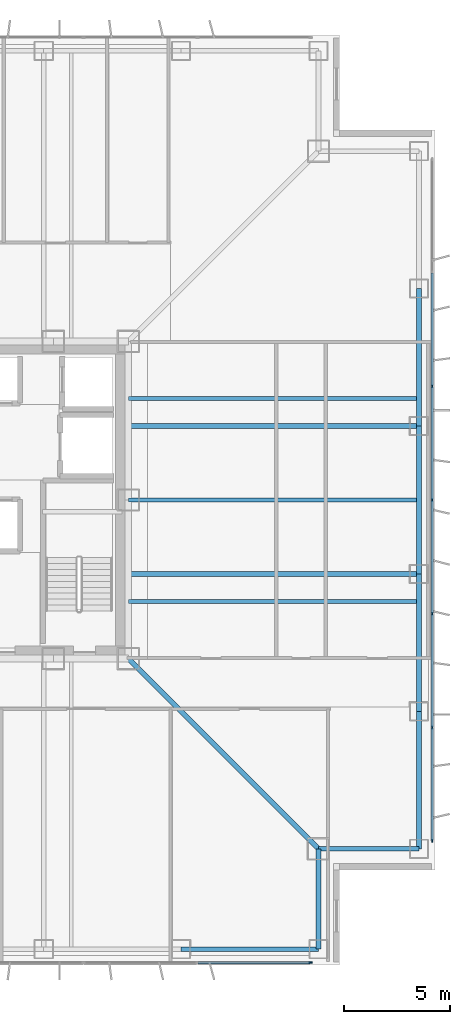
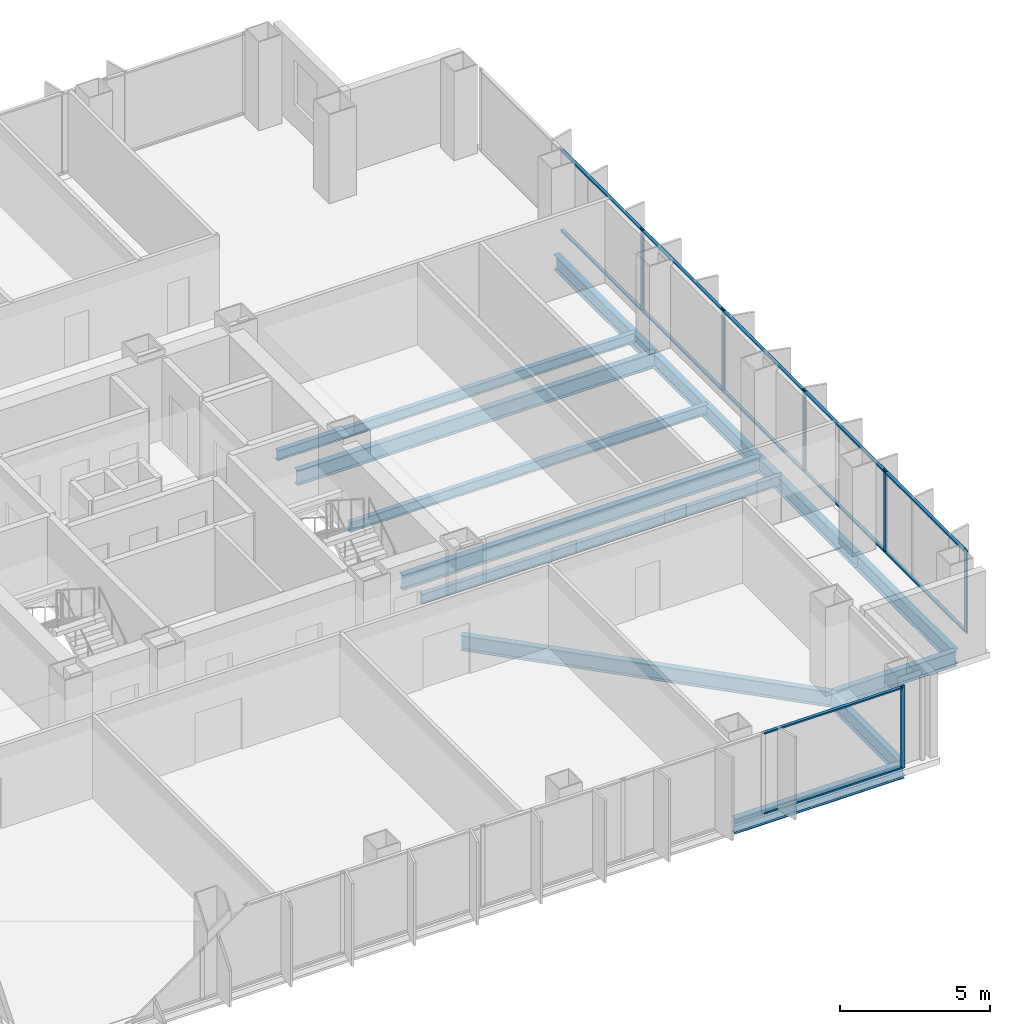
# One storey, part 6 of 14: 18 members, 13 beams, 2 elements without a shape of their own.
"""IFC4 building model written with IfcOpenShell, lengths in metres."""

from ifc_helpers import new_model, si_unit, direction, frame, origin, origin_2d, place, context, subcontext, project, spatial, rectangle, i_section, extrude, material, layer, layer_set, material_profile, profile_set, type_object, element, aggregate, save


model = new_model("IFC4")

# Units and contexts
model_context = context("Model", 3, precision=1e-05, world=origin(), true_north=direction((0.0, 1.0)))
body_context = subcontext(model_context, "Body", "Model", "MODEL_VIEW")
ifc_project = project(units=[si_unit("LENGTHUNIT", "METRE"), si_unit("AREAUNIT", "SQUARE_METRE"), si_unit("VOLUMEUNIT", "CUBIC_METRE"), si_unit("PLANEANGLEUNIT", "RADIAN"), si_unit("MASSUNIT", "GRAM", prefix="KILO")], contexts=[model_context])

# Site, building, storey
site_placement = place(None, origin())
site = spatial("IfcSite", under=ifc_project, at=site_placement, CompositionType="ELEMENT")
building_placement = place(site_placement, origin())
building = spatial("IfcBuilding", under=site, at=building_placement, Name="Trevonay Congress Spire", CompositionType="ELEMENT")
storey_placement = place(building_placement, frame((0.0, 0.0, 137.199951171875)))
storey = spatial("IfcBuildingStorey", under=building, at=storey_placement, Name="L35", CompositionType="ELEMENT", Elevation=137.199951171875)

# Beams
ifc_material_1 = material(Name="Steel ASTM A572 Grade 50", Category="steel")
ifc_material_profile_1 = material_profile(ifc_material_1, i_section(OverallWidth=0.22998046875, OverallDepth=0.616943359375, WebThickness=0.01318359375, FlangeThickness=0.022216796875, FilletRadius=0.01611328125, at=origin_2d()), Name="W610x140")
ifc_profile_set_1 = profile_set([ifc_material_profile_1], Name="Steel ASTM A572 Grade 50")
beam_type_1 = type_object("IfcBeamType", Name="BM-GIRD-W610X140", PredefinedType="BEAM", material=ifc_profile_set_1)
beam_1_placement = place(storey_placement, frame((7.5, -7.5, -0.54833984375), z_axis=(0.707106781187, -0.707106781187, 0.0), x_axis=(0.707106781187, 0.707106781187, 0.0)))
element("IfcBeam", 1, at=beam_1_placement, inside=storey, type_object=beam_type_1, Name="L35 structural beam BM-L35-CDSE", PredefinedType="BEAM", context=body_context, shape_type="SweptSolid", body=[
    extrude(i_section(OverallWidth=0.22998046875, OverallDepth=0.616943359375, WebThickness=0.01318359375, FlangeThickness=0.022216796875, FilletRadius=0.01611328125, at=origin_2d()), origin(), (0.0, 0.0, 1.0), 12.72802734375),
])
for number, where, z_axis, x_axis, name in (
    (2, (7.5, -3.5, -0.54833984375), (1.0, 0.0, 0.0), (0.0, 1.0, 0.0), "L35 structural beam BM-L35-GE-M"),
    (3, (7.5, 3.5, -0.54833984375), (1.0, 0.0, 0.0), (0.0, 1.0, 0.0), "L35 structural beam BM-L35-GE-P"),
):
    element("IfcBeam", number, at=place(storey_placement, frame(where, z_axis=z_axis, x_axis=x_axis)), inside=storey, type_object=beam_type_1, Name=name, PredefinedType="BEAM", context=body_context, shape_type="SweptSolid", body=[
        extrude(i_section(OverallWidth=0.22998046875, OverallDepth=0.616943359375, WebThickness=0.01318359375, FlangeThickness=0.022216796875, FilletRadius=0.01611328125, at=origin_2d()), origin(), (0.0, 0.0, 1.0), 13.75),
    ])
ifc_material_profile_2 = material_profile(ifc_material_1, i_section(OverallWidth=0.22802734375, OverallDepth=0.60791015625, WebThickness=0.01123046875, FlangeThickness=0.017333984375, FilletRadius=0.01611328125, at=origin_2d()), Name="W610x113")
ifc_profile_set_2 = profile_set([ifc_material_profile_2], Name="Steel ASTM A572 Grade 50")
beam_type_2 = type_object("IfcBeamType", Name="BM-RING-W610X113", PredefinedType="BEAM", material=ifc_profile_set_2)
for number, where, z_axis, x_axis, name in (
    (4, (21.25, -16.5, -0.5439453125), (0.0, 1.0, 0.0), (-1.0, 0.0, 0.0), "L35 structural beam BM-L35-PE1"),
    (5, (21.25, -10.0, -0.5439453125), (0.0, 1.0, 0.0), (-1.0, 0.0, 0.0), "L35 structural beam BM-L35-PE2"),
):
    element("IfcBeam", number, at=place(storey_placement, frame(where, z_axis=z_axis, x_axis=x_axis)), inside=storey, type_object=beam_type_2, Name=name, PredefinedType="BEAM", context=body_context, shape_type="SweptSolid", body=[
        extrude(i_section(OverallWidth=0.22802734375, OverallDepth=0.60791015625, WebThickness=0.01123046875, FlangeThickness=0.017333984375, FilletRadius=0.01611328125, at=origin_2d()), origin(), (0.0, 0.0, 1.0), 6.5),
    ])
beam_2_placement = place(storey_placement, frame((21.25, -3.5, -0.5439453125), z_axis=(0.0, 1.0, 0.0), x_axis=(-1.0, 0.0, 0.0)))
element("IfcBeam", 6, at=beam_2_placement, inside=storey, type_object=beam_type_2, Name="L35 structural beam BM-L35-PE3", PredefinedType="BEAM", context=body_context, shape_type="SweptSolid", body=[
    extrude(i_section(OverallWidth=0.22802734375, OverallDepth=0.60791015625, WebThickness=0.01123046875, FlangeThickness=0.017333984375, FilletRadius=0.01611328125, at=origin_2d()), origin(), (0.0, 0.0, 1.0), 7.0),
])
for number, where, z_axis, x_axis, name in (
    (7, (21.25, 3.5, -0.5439453125), (0.0, 1.0, 0.0), (-1.0, 0.0, 0.0), "L35 structural beam BM-L35-PE4"),
    (8, (10.0, -21.25, -0.5439453125), (1.0, 0.0, 0.0), (0.0, 1.0, 0.0), "L35 structural beam BM-L35-PS5"),
):
    element("IfcBeam", number, at=place(storey_placement, frame(where, z_axis=z_axis, x_axis=x_axis)), inside=storey, type_object=beam_type_2, Name=name, PredefinedType="BEAM", context=body_context, shape_type="SweptSolid", body=[
        extrude(i_section(OverallWidth=0.22802734375, OverallDepth=0.60791015625, WebThickness=0.01123046875, FlangeThickness=0.017333984375, FilletRadius=0.01611328125, at=origin_2d()), origin(), (0.0, 0.0, 1.0), 6.5),
    ])
for number, where, z_axis, x_axis, name in (
    (9, (16.5, -21.25, -0.5439453125), (0.0, 1.0, 0.0), (-1.0, 0.0, 0.0), "L35 structural beam BM-L35-N1SE"),
    (10, (21.25, -16.5, -0.5439453125), (-1.0, 0.0, 0.0), (0.0, -1.0, 0.0), "L35 structural beam BM-L35-N2SE"),
):
    element("IfcBeam", number, at=place(storey_placement, frame(where, z_axis=z_axis, x_axis=x_axis)), inside=storey, type_object=beam_type_2, Name=name, PredefinedType="BEAM", context=body_context, shape_type="SweptSolid", body=[
        extrude(i_section(OverallWidth=0.22802734375, OverallDepth=0.60791015625, WebThickness=0.01123046875, FlangeThickness=0.017333984375, FilletRadius=0.01611328125, at=origin_2d()), origin(), (0.0, 0.0, 1.0), 4.75),
    ])

# Curtain wall, member
ifc_material_2 = material(Name="Pale Anodised Aluminium EN AW-6063-T6", Category="aluminium")
ifc_layer = layer(ifc_material_2, 0.175048828125, Name="Pale Anodised Aluminium EN AW-6063-T6")
ifc_layer_set = layer_set([ifc_layer], Name="Pale Anodised Aluminium EN AW-6063-T6")
curtain_wall_type = type_object("IfcCurtainWallType", Name="CW-SYS03-CONGRESS-PALE-METAL", PredefinedType="NOTDEFINED", material=ifc_layer_set)
curtain_wall_1_placement = place(storey_placement, origin())
curtain_wall_1 = element("IfcCurtainWall", 11, at=curtain_wall_1_placement, inside=storey, type_object=curtain_wall_type, Name="L35 S unitised curtain wall", PredefinedType="NOTDEFINED")
ifc_material_profile_3 = material_profile(ifc_material_2, rectangle(XDim=0.06005859375, YDim=0.159912109375, at=origin_2d()), Name="CW-MULLION-160-ALUMINIUM")
ifc_profile_set_3 = profile_set([ifc_material_profile_3], Name="Pale Anodised Aluminium EN AW-6063-T6")
member_type_1 = type_object("IfcMemberType", Name="CW-MULLION-160-ALUMINIUM", PredefinedType="MULLION", material=ifc_profile_set_3)
member_1_placement = place(storey_placement, frame((16.1201171875, -21.8798828125, 0.0), z_axis=(0.0, 0.0, 1.0), x_axis=(0.0, 1.0, 0.0)))
member_1 = element("IfcMember", 12, at=member_1_placement, type_object=member_type_1, Name="CW03 mullion 7", PredefinedType="MULLION", context=body_context, shape_type="SweptSolid", body=[
    extrude(rectangle(XDim=0.06005859375, YDim=0.159912109375, at=origin_2d()), origin(), (0.0, 0.0, 1.0), 3.360107421875),
])

# Curtain wall, members
curtain_wall_2_placement = place(storey_placement, origin())
curtain_wall_2 = element("IfcCurtainWall", 13, at=curtain_wall_2_placement, inside=storey, type_object=curtain_wall_type, Name="L35 E unitised curtain wall", PredefinedType="NOTDEFINED")
member_2_placement = place(storey_placement, frame((21.8798828125, -16.1201171875, 0.0), z_axis=(0.0, 0.0, 1.0), x_axis=(-1.0, 0.0, 0.0)))
member_2 = element("IfcMember", 14, at=member_2_placement, type_object=member_type_1, Name="CW03 mullion 1", PredefinedType="MULLION", context=body_context, shape_type="SweptSolid", body=[
    extrude(rectangle(XDim=0.06005859375, YDim=0.159912109375, at=origin_2d()), origin(), (0.0, 0.0, 1.0), 3.360107421875),
])
member_3_placement = place(storey_placement, frame((21.8798828125, -10.7666015625, 0.0), z_axis=(0.0, 0.0, 1.0), x_axis=(-1.0, 0.0, 0.0)))
member_3 = element("IfcMember", 15, at=member_3_placement, type_object=member_type_1, Name="CW03 mullion 2", PredefinedType="MULLION", context=body_context, shape_type="SweptSolid", body=[
    extrude(rectangle(XDim=0.06005859375, YDim=0.159912109375, at=origin_2d()), origin(), (0.0, 0.0, 1.0), 3.360107421875),
])
member_4_placement = place(storey_placement, frame((21.8798828125, -5.38330078125, 0.0), z_axis=(0.0, 0.0, 1.0), x_axis=(-1.0, 0.0, 0.0)))
member_4 = element("IfcMember", 16, at=member_4_placement, type_object=member_type_1, Name="CW03 mullion 3", PredefinedType="MULLION", context=body_context, shape_type="SweptSolid", body=[
    extrude(rectangle(XDim=0.06005859375, YDim=0.159912109375, at=origin_2d()), origin(), (0.0, 0.0, 1.0), 3.360107421875),
])
member_5_placement = place(storey_placement, frame((21.8798828125, 0.0, 0.0), z_axis=(0.0, 0.0, 1.0), x_axis=(-1.0, 0.0, 0.0)))
member_5 = element("IfcMember", 17, at=member_5_placement, type_object=member_type_1, Name="CW03 mullion 4", PredefinedType="MULLION", context=body_context, shape_type="SweptSolid", body=[
    extrude(rectangle(XDim=0.06005859375, YDim=0.159912109375, at=origin_2d()), origin(), (0.0, 0.0, 1.0), 3.360107421875),
])
member_6_placement = place(storey_placement, frame((21.8798828125, 5.38330078125, 0.0), z_axis=(0.0, 0.0, 1.0), x_axis=(-1.0, 0.0, 0.0)))
member_6 = element("IfcMember", 18, at=member_6_placement, type_object=member_type_1, Name="CW03 mullion 5", PredefinedType="MULLION", context=body_context, shape_type="SweptSolid", body=[
    extrude(rectangle(XDim=0.06005859375, YDim=0.159912109375, at=origin_2d()), origin(), (0.0, 0.0, 1.0), 3.360107421875),
])

# Member
ifc_material_profile_4 = material_profile(ifc_material_2, rectangle(XDim=0.1201171875, YDim=0.06005859375, at=origin_2d()), Name="CW-TRANSOM-120-ALUMINIUM")
ifc_profile_set_4 = profile_set([ifc_material_profile_4], Name="Pale Anodised Aluminium EN AW-6063-T6")
member_type_2 = type_object("IfcMemberType", Name="CW-TRANSOM-120-ALUMINIUM", PredefinedType="USERDEFINED", material=ifc_profile_set_4)
member_7_placement = place(storey_placement, frame((10.796630859375, -21.8798828125, 0.06005859375), z_axis=(1.0, 0.0, 0.0), x_axis=(0.0, 1.0, 0.0)))
member_7 = element("IfcMember", 19, at=member_7_placement, type_object=member_type_2, Name="CW03 transom 6.1", ObjectType="TRANSOM", PredefinedType="USERDEFINED", context=body_context, shape_type="SweptSolid", body=[
    extrude(rectangle(XDim=0.1201171875, YDim=0.06005859375, at=origin_2d()), origin(), (0.0, 0.0, 1.0), 5.29345703125),
])

member_8_placement = place(storey_placement, frame((10.796630859375, -21.8798828125, 3.300048828125), z_axis=(1.0, 0.0, 0.0), x_axis=(0.0, 1.0, 0.0)))
member_8 = element("IfcMember", 20, at=member_8_placement, type_object=member_type_2, Name="CW03 transom 6.2", ObjectType="TRANSOM", PredefinedType="USERDEFINED", context=body_context, shape_type="SweptSolid", body=[
    extrude(rectangle(XDim=0.1201171875, YDim=0.06005859375, at=origin_2d()), origin(), (0.0, 0.0, 1.0), 5.29345703125),
])

aggregate(curtain_wall_1, [member_1, member_7, member_8])

member_9_placement = place(storey_placement, frame((21.8798828125, -16.090087890625, 0.06005859375), z_axis=(0.0, 1.0, 0.0), x_axis=(-1.0, 0.0, 0.0)))
member_9 = element("IfcMember", 21, at=member_9_placement, type_object=member_type_2, Name="CW03 transom 1.1", ObjectType="TRANSOM", PredefinedType="USERDEFINED", context=body_context, shape_type="SweptSolid", body=[
    extrude(rectangle(XDim=0.1201171875, YDim=0.06005859375, at=origin_2d()), origin(), (0.0, 0.0, 1.0), 5.29345703125),
])

member_10_placement = place(storey_placement, frame((21.8798828125, -16.090087890625, 3.300048828125), z_axis=(0.0, 1.0, 0.0), x_axis=(-1.0, 0.0, 0.0)))
member_10 = element("IfcMember", 22, at=member_10_placement, type_object=member_type_2, Name="CW03 transom 1.2", ObjectType="TRANSOM", PredefinedType="USERDEFINED", context=body_context, shape_type="SweptSolid", body=[
    extrude(rectangle(XDim=0.1201171875, YDim=0.06005859375, at=origin_2d()), origin(), (0.0, 0.0, 1.0), 5.29345703125),
])

member_11_placement = place(storey_placement, frame((21.8798828125, -10.736572265625, 0.06005859375), z_axis=(0.0, 1.0, 0.0), x_axis=(-1.0, 0.0, 0.0)))
member_11 = element("IfcMember", 23, at=member_11_placement, type_object=member_type_2, Name="CW03 transom 2.1", ObjectType="TRANSOM", PredefinedType="USERDEFINED", context=body_context, shape_type="SweptSolid", body=[
    extrude(rectangle(XDim=0.1201171875, YDim=0.06005859375, at=origin_2d()), origin(), (0.0, 0.0, 1.0), 5.3232421875),
])

member_12_placement = place(storey_placement, frame((21.8798828125, -10.736572265625, 3.300048828125), z_axis=(0.0, 1.0, 0.0), x_axis=(-1.0, 0.0, 0.0)))
member_12 = element("IfcMember", 24, at=member_12_placement, type_object=member_type_2, Name="CW03 transom 2.2", ObjectType="TRANSOM", PredefinedType="USERDEFINED", context=body_context, shape_type="SweptSolid", body=[
    extrude(rectangle(XDim=0.1201171875, YDim=0.06005859375, at=origin_2d()), origin(), (0.0, 0.0, 1.0), 5.3232421875),
])

member_13_placement = place(storey_placement, frame((21.8798828125, -5.353271484375, 0.06005859375), z_axis=(0.0, 1.0, 0.0), x_axis=(-1.0, 0.0, 0.0)))
member_13 = element("IfcMember", 25, at=member_13_placement, type_object=member_type_2, Name="CW03 transom 3.1", ObjectType="TRANSOM", PredefinedType="USERDEFINED", context=body_context, shape_type="SweptSolid", body=[
    extrude(rectangle(XDim=0.1201171875, YDim=0.06005859375, at=origin_2d()), origin(), (0.0, 0.0, 1.0), 5.3232421875),
])

member_14_placement = place(storey_placement, frame((21.8798828125, -5.353271484375, 3.300048828125), z_axis=(0.0, 1.0, 0.0), x_axis=(-1.0, 0.0, 0.0)))
member_14 = element("IfcMember", 26, at=member_14_placement, type_object=member_type_2, Name="CW03 transom 3.2", ObjectType="TRANSOM", PredefinedType="USERDEFINED", context=body_context, shape_type="SweptSolid", body=[
    extrude(rectangle(XDim=0.1201171875, YDim=0.06005859375, at=origin_2d()), origin(), (0.0, 0.0, 1.0), 5.3232421875),
])

member_15_placement = place(storey_placement, frame((21.8798828125, 0.030029296875, 0.06005859375), z_axis=(0.0, 1.0, 0.0), x_axis=(-1.0, 0.0, 0.0)))
member_15 = element("IfcMember", 27, at=member_15_placement, type_object=member_type_2, Name="CW03 transom 4.1", ObjectType="TRANSOM", PredefinedType="USERDEFINED", context=body_context, shape_type="SweptSolid", body=[
    extrude(rectangle(XDim=0.1201171875, YDim=0.06005859375, at=origin_2d()), origin(), (0.0, 0.0, 1.0), 5.3232421875),
])

member_16_placement = place(storey_placement, frame((21.8798828125, 0.030029296875, 3.300048828125), z_axis=(0.0, 1.0, 0.0), x_axis=(-1.0, 0.0, 0.0)))
member_16 = element("IfcMember", 28, at=member_16_placement, type_object=member_type_2, Name="CW03 transom 4.2", ObjectType="TRANSOM", PredefinedType="USERDEFINED", context=body_context, shape_type="SweptSolid", body=[
    extrude(rectangle(XDim=0.1201171875, YDim=0.06005859375, at=origin_2d()), origin(), (0.0, 0.0, 1.0), 5.3232421875),
])

member_17_placement = place(storey_placement, frame((21.8798828125, 5.413330078125, 0.06005859375), z_axis=(0.0, 1.0, 0.0), x_axis=(-1.0, 0.0, 0.0)))
member_17 = element("IfcMember", 29, at=member_17_placement, type_object=member_type_2, Name="CW03 transom 5.1", ObjectType="TRANSOM", PredefinedType="USERDEFINED", context=body_context, shape_type="SweptSolid", body=[
    extrude(rectangle(XDim=0.1201171875, YDim=0.06005859375, at=origin_2d()), origin(), (0.0, 0.0, 1.0), 5.3232421875),
])

member_18_placement = place(storey_placement, frame((21.8798828125, 5.413330078125, 3.300048828125), z_axis=(0.0, 1.0, 0.0), x_axis=(-1.0, 0.0, 0.0)))
member_18 = element("IfcMember", 30, at=member_18_placement, type_object=member_type_2, Name="CW03 transom 5.2", ObjectType="TRANSOM", PredefinedType="USERDEFINED", context=body_context, shape_type="SweptSolid", body=[
    extrude(rectangle(XDim=0.1201171875, YDim=0.06005859375, at=origin_2d()), origin(), (0.0, 0.0, 1.0), 5.3232421875),
])

aggregate(curtain_wall_2, [member_2, member_3, member_4, member_5, member_6, member_9, member_10, member_11, member_12, member_13, member_14, member_15, member_16, member_17, member_18])

# Beams
ifc_material_profile_5 = material_profile(ifc_material_1, i_section(OverallWidth=0.177978515625, OverallDepth=0.406982421875, WebThickness=0.0078125, FlangeThickness=0.0126953125, FilletRadius=0.012939453125, at=origin_2d()), Name="W410x60")
ifc_profile_set_5 = profile_set([ifc_material_profile_5], Name="Steel ASTM A572 Grade 50")
beam_type_3 = type_object("IfcBeamType", Name="JS-COMP-W410X60", PredefinedType="JOIST", material=ifc_profile_set_5)
for number, where, z_axis, x_axis, name in (
    (31, (7.5, -4.800048828125, -0.443359375), (1.0, 0.0, 0.0), (0.0, 1.0, 0.0), "L35 structural beam JS-L35-EW-E1"),
    (32, (7.5, 0.0, -0.443359375), (1.0, 0.0, 0.0), (0.0, 1.0, 0.0), "L35 structural beam JS-L35-EW-E2"),
    (33, (7.5, 4.800048828125, -0.443359375), (1.0, 0.0, 0.0), (0.0, 1.0, 0.0), "L35 structural beam JS-L35-EW-E3"),
):
    element("IfcBeam", number, at=place(storey_placement, frame(where, z_axis=z_axis, x_axis=x_axis)), inside=storey, type_object=beam_type_3, Name=name, PredefinedType="JOIST", context=body_context, shape_type="SweptSolid", body=[
        extrude(i_section(OverallWidth=0.177978515625, OverallDepth=0.406982421875, WebThickness=0.0078125, FlangeThickness=0.0126953125, FilletRadius=0.012939453125, at=origin_2d()), origin(), (0.0, 0.0, 1.0), 13.75),
    ])

save(model, "model.ifc")
